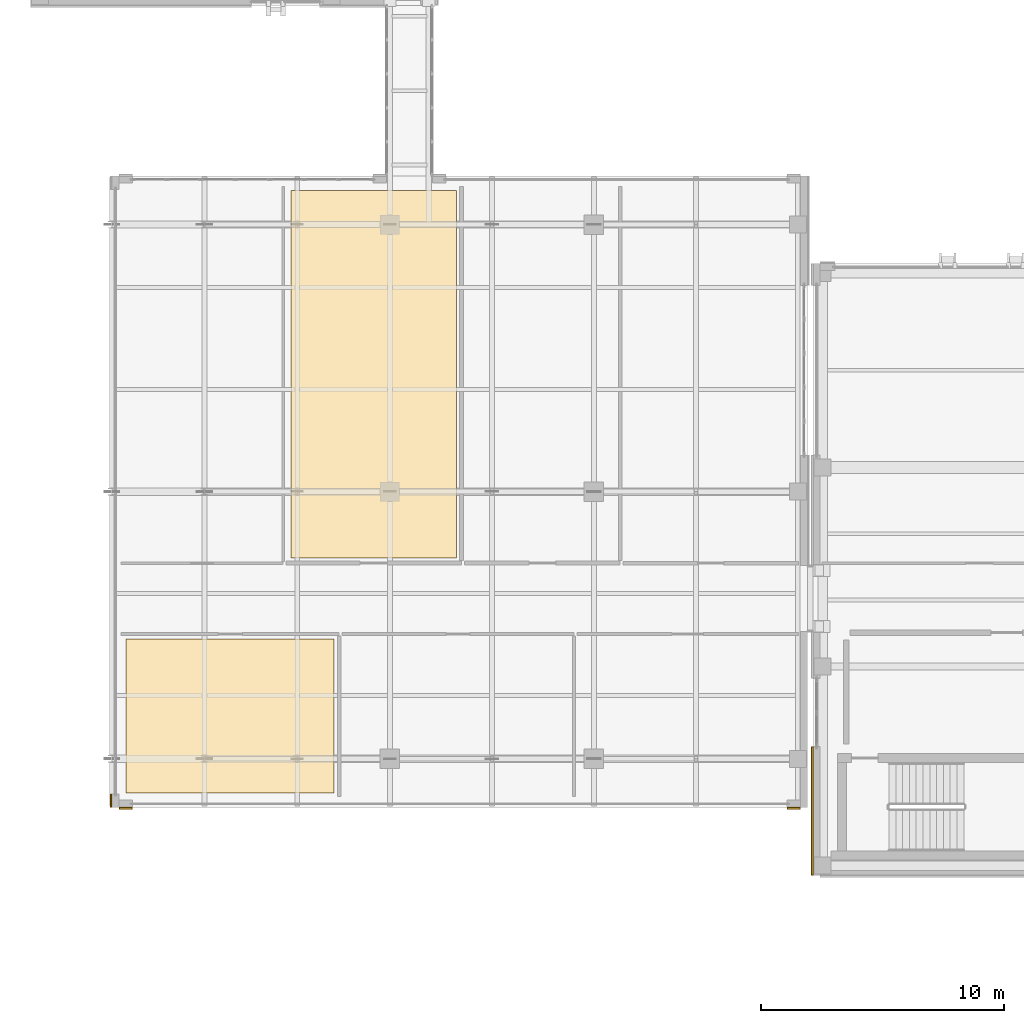
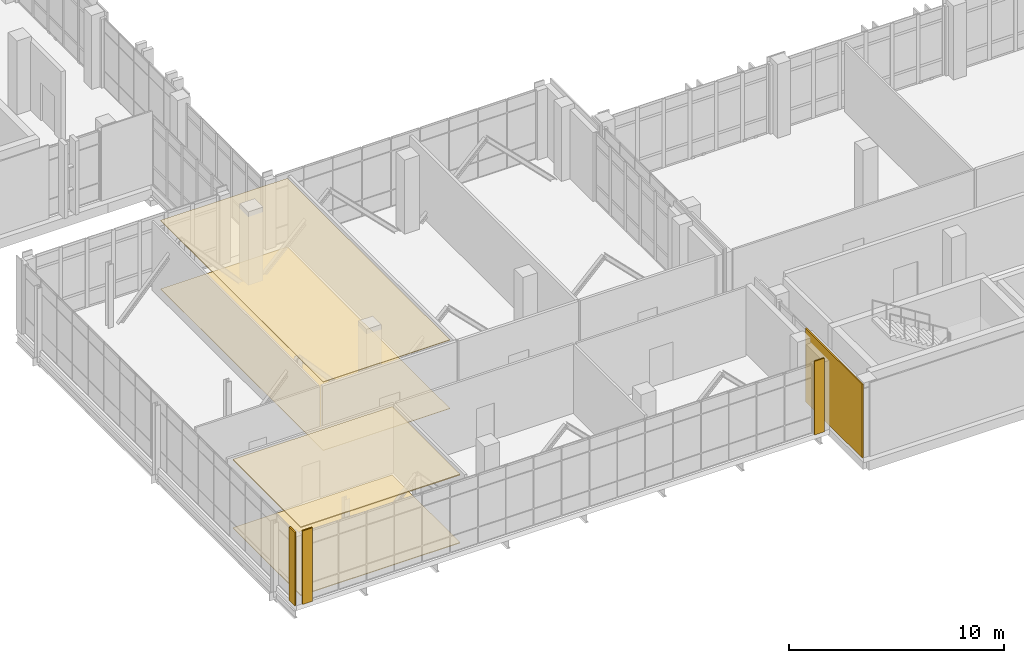
# One storey, part 147 of 165: 8 coverings.
"""IFC4 building model written with IfcOpenShell, lengths in metres."""

from ifc_helpers import new_model, si_unit, direction, frame, origin, origin_2d, place, context, subcontext, project, spatial, polyline, rectangle, outline, extrude, material, layer, layer_set, type_object, element, save


model = new_model("IFC4")

# Units and contexts
model_context = context("Model", 3, precision=1e-05, world=origin(), true_north=direction((0.0, 1.0)))
body_context = subcontext(model_context, "Body", "Model", "MODEL_VIEW")
ifc_project = project(units=[si_unit("LENGTHUNIT", "METRE"), si_unit("AREAUNIT", "SQUARE_METRE"), si_unit("VOLUMEUNIT", "CUBIC_METRE"), si_unit("PLANEANGLEUNIT", "RADIAN"), si_unit("MASSUNIT", "GRAM", prefix="KILO")], contexts=[model_context])

# Site, building, storey
site_placement = place(None, origin())
site = spatial("IfcSite", under=ifc_project, at=site_placement, CompositionType="ELEMENT")
building_placement = place(site_placement, origin())
building = spatial("IfcBuilding", under=site, at=building_placement, Name="Qalavern Law Courts", CompositionType="ELEMENT")
storey_placement = place(building_placement, frame((0.0, 0.0, 14.39990234375)))
storey = spatial("IfcBuildingStorey", under=building, at=storey_placement, Name="L03", CompositionType="ELEMENT", Elevation=14.39990234375)

# Coverings
ifc_material_1 = material(Name="Precast concrete C40/50", Category="concrete")
ifc_layer_1 = layer(ifc_material_1, 0.072021484375)
ifc_layer_set_1 = layer_set([ifc_layer_1], Name="Precast concrete C40/50")
covering_type_1 = type_object("IfcCoveringType", Name="ENV-CLD-2", PredefinedType="CLADDING", material=ifc_layer_set_1)
for number, where, z_axis, x_axis, name in (
    (1, (5.9150390625, 7.967041015625, 0.01025390625), (0.0, 0.0, 1.0), (1.0, 0.0, 0.0), "V1 Absheron limestone pier facing L03 south 1"),
    (2, (33.43505859375, 7.967041015625, 0.01025390625), (0.0, 0.0, 1.0), (1.0, 0.0, 0.0), "V1 Absheron limestone pier facing L03 south 2"),
    (3, (5.31689453125, 8.27490234375, 0.01025390625), (0.0, 0.0, 1.0), (0.0, -1.0, 0.0), "V1 Absheron limestone pier facing L03 west 2"),
):
    element("IfcCovering", number, at=place(storey_placement, frame(where, z_axis=z_axis, x_axis=x_axis)), inside=storey, type_object=covering_type_1, Name=name, PredefinedType="CLADDING", context=body_context, shape_type="SweptSolid", body=[
        extrude(rectangle(XDim=0.530029296875, YDim=0.072021484375, at=origin_2d()), origin(), (0.0, 0.0, 1.0), 4.179931640625),
    ])
covering_1_placement = place(storey_placement, frame((34.18701171875, 7.85009765625, 0.01025390625), z_axis=(0.0, 0.0, 1.0), x_axis=(0.0, -1.0, 0.0)))
element("IfcCovering", 4, at=covering_1_placement, inside=storey, type_object=covering_type_1, Name="V2 Absheron limestone pier facing L03 west 2", PredefinedType="CLADDING", context=body_context, shape_type="SweptSolid", body=[
    extrude(rectangle(XDim=5.280029296875, YDim=0.072021484375, at=origin_2d()), origin(), (0.0, 0.0, 1.0), 4.179931640625),
])
ifc_material_2 = material(Name="Perforated gypsum and mineral-wool acoustic ceiling")
ifc_layer_2 = layer(ifc_material_2, 0.0380859375)
ifc_layer_set_2 = layer_set([ifc_layer_2], Name="Perforated gypsum and mineral-wool acoustic ceiling")
covering_type_2 = type_object("IfcCoveringType", Name="INT-CEIL-1", PredefinedType="CEILING", material=ifc_layer_set_2)
covering_2_placement = place(storey_placement, frame((0.0, 0.0, 3.882080078125)))
element("IfcCovering", 5, at=covering_2_placement, inside=storey, type_object=covering_type_2, Name="Upper Public Foyer acoustic ceiling L03", PredefinedType="CEILING", context=body_context, shape_type="SweptSolid", body=[
    extrude(outline(polyline([(12.72802734375, 18.27001953125), (19.5419921875, 18.27001953125), (19.5419921875, 33.409912109375), (12.72802734375, 33.409912109375), (12.72802734375, 18.27001953125)])), origin(), (0.0, 0.0, 1.0), 0.0380859375),
])
ifc_material_3 = material(Name="Slatted oak acoustic timber baffle ceiling", Category="wood")
ifc_layer_3 = layer(ifc_material_3, 0.055908203125)
ifc_layer_set_3 = layer_set([ifc_layer_3], Name="Slatted oak acoustic timber baffle ceiling")
covering_type_3 = type_object("IfcCoveringType", Name="INT-CEIL-3", PredefinedType="CEILING", material=ifc_layer_set_3)
covering_3_placement = place(storey_placement, frame((0.0, 0.0, 3.864013671875)))
element("IfcCovering", 6, at=covering_3_placement, inside=storey, type_object=covering_type_3, Name="Upper Public Foyer acoustic ceiling L03", PredefinedType="CEILING", context=body_context, shape_type="SweptSolid", body=[
    extrude(outline(polyline([(5.93994140625, 8.590087890625), (14.501953125, 8.590087890625), (14.501953125, 14.929931640625), (5.93994140625, 14.929931640625), (5.93994140625, 8.590087890625)])), origin(), (0.0, 0.0, 1.0), 0.05615234375),
])
ifc_material_4 = material(Name="Acoustic engineered oak courtroom flooring")
ifc_layer_4 = layer(ifc_material_4, 0.02197265625)
ifc_layer_set_4 = layer_set([ifc_layer_4], Name="Acoustic engineered oak courtroom flooring")
covering_type_4 = type_object("IfcCoveringType", Name="INT-FLR-1", PredefinedType="FLOORING", material=ifc_layer_set_4)
covering_4_placement = place(storey_placement, origin())
element("IfcCovering", 7, at=covering_4_placement, inside=storey, type_object=covering_type_4, Name="Upper Public Foyer finish flooring L03", PredefinedType="FLOORING", context=body_context, shape_type="SweptSolid", body=[
    extrude(outline(polyline([(12.72802734375, 18.27001953125), (19.5419921875, 18.27001953125), (19.5419921875, 33.409912109375), (12.72802734375, 33.409912109375), (12.72802734375, 18.27001953125)])), origin(), (0.0, 0.0, 1.0), 0.022216796875),
])
ifc_layer_5 = layer(ifc_material_4, 0.0380859375)
ifc_layer_set_5 = layer_set([ifc_layer_5], Name="Acoustic engineered oak courtroom flooring")
covering_type_5 = type_object("IfcCoveringType", Name="INT-FLR-3", PredefinedType="FLOORING", material=ifc_layer_set_5)
covering_5_placement = place(storey_placement, origin())
element("IfcCovering", 8, at=covering_5_placement, inside=storey, type_object=covering_type_5, Name="Upper Public Foyer finish flooring L03", PredefinedType="FLOORING", context=body_context, shape_type="SweptSolid", body=[
    extrude(outline(polyline([(5.93994140625, 8.590087890625), (14.501953125, 8.590087890625), (14.501953125, 14.929931640625), (5.93994140625, 14.929931640625), (5.93994140625, 8.590087890625)])), origin(), (0.0, 0.0, 1.0), 0.0380859375),
])

save(model, "model.ifc")
